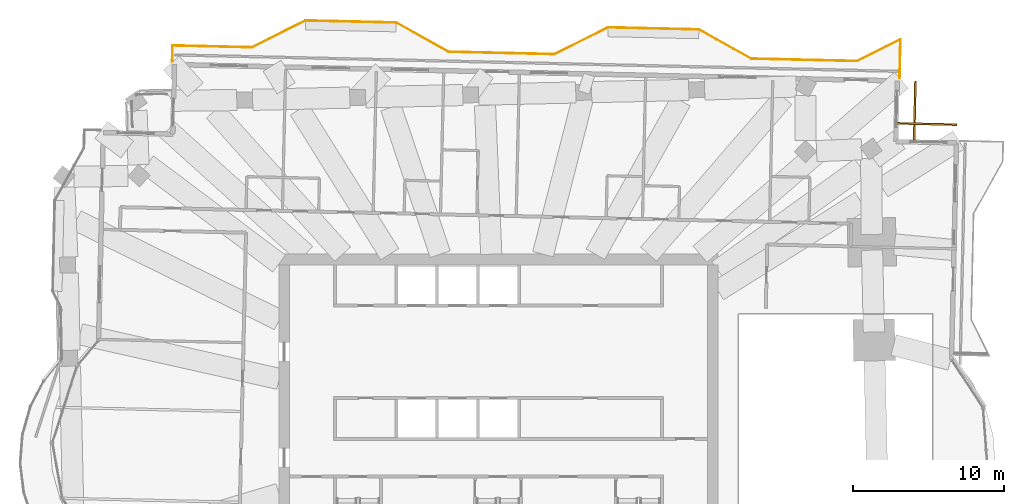
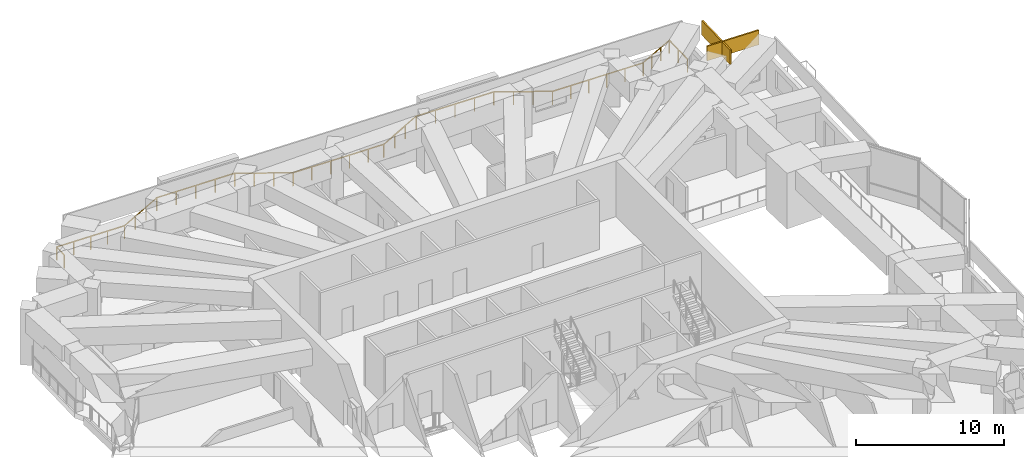
# One storey, part 20 of 20: 2 coverings, 1 railing.
"""IFC4 building model written with IfcOpenShell, lengths in metres."""

from ifc_helpers import new_model, si_unit, direction, frame, frame_2d, origin, origin_2d, place, context, subcontext, project, spatial, rectangle, extrude, material, layer, layer_set, type_object, element, save


model = new_model("IFC4")

# Units and contexts
model_context = context("Model", 3, precision=1e-05, world=origin(), true_north=direction((0.0, 1.0)))
body_context = subcontext(model_context, "Body", "Model", "MODEL_VIEW")
ifc_project = project(units=[si_unit("LENGTHUNIT", "METRE"), si_unit("AREAUNIT", "SQUARE_METRE"), si_unit("VOLUMEUNIT", "CUBIC_METRE"), si_unit("PLANEANGLEUNIT", "RADIAN"), si_unit("MASSUNIT", "GRAM", prefix="KILO")], contexts=[model_context])

# Site, building, storey
site_placement = place(None, origin())
site = spatial("IfcSite", under=ifc_project, at=site_placement, CompositionType="ELEMENT")
building_placement = place(site_placement, origin())
building = spatial("IfcBuilding", under=site, at=building_placement, Name="Mangrove Gate Tower", CompositionType="ELEMENT")
storey_placement = place(building_placement, frame((0.0, 0.0, 252.699951171875)))
storey = spatial("IfcBuildingStorey", under=building, at=storey_placement, Name="L64", CompositionType="ELEMENT", Elevation=252.699951171875)

# Railing
ifc_material_1 = material(Name="Stainless steel grade 316 with laminated glass infill", Category="steel")
railing_type = type_object("IfcRailingType", Name="Balcony guard 1100", PredefinedType="GUARDRAIL", material=ifc_material_1)
railing_placement = place(storey_placement, frame((26.5048828125, 23.131103515625, 0.0)))
element("IfcRailing", 1, at=railing_placement, inside=storey, type_object=railing_type, Name="GUARD L64 N1", PredefinedType="GUARDRAIL", context=body_context, shape_type="SweptSolid", body=[
    extrude(rectangle(XDim=0.048095703125, YDim=0.048095703125, at=origin_2d()), frame((0.0, 0.0, 1.076171875), z_axis=(0.022701904617, 0.999742278553, 0.0), x_axis=(-0.999742278553, 0.022701904617, 0.0)), (0.0, 0.0, 1.0), 2.5595703125),
    extrude(rectangle(XDim=0.048095703125, YDim=0.048095703125, at=origin_2d()), frame((0.05810546875, 2.558837890625, 1.076171875), z_axis=(-0.894411972924, -0.447244030357, 0.0), x_axis=(0.447244030357, -0.894411972924, 0.0)), (0.0, 0.0, 1.0), 3.208740234375),
    extrude(rectangle(XDim=0.048095703125, YDim=0.048095703125, at=origin_2d()), frame((-2.811767578125, 1.123779296875, 1.076171875), z_axis=(-0.999741403216, 0.022740419861, 0.0), x_axis=(-0.022740419861, -0.999741403216, 0.0)), (0.0, 0.0, 1.0), 6.999755859375),
    extrude(rectangle(XDim=0.048095703125, YDim=0.048095703125, at=origin_2d()), frame((-9.809814453125, 1.282958984375, 1.076171875), z_axis=(-0.87325689943, 0.48726008209, 0.0), x_axis=(-0.48726008209, -0.87325689943, 0.0)), (0.0, 0.0, 1.0), 3.958740234375),
    extrude(rectangle(XDim=0.048095703125, YDim=0.048095703125, at=origin_2d()), frame((-13.266845703125, 3.2119140625, 1.076171875), z_axis=(-0.999743094499, 0.022665943652, 0.0), x_axis=(-0.022665943652, -0.999743094499, 0.0)), (0.0, 0.0, 1.0), 5.99951171875),
    extrude(rectangle(XDim=0.048095703125, YDim=0.048095703125, at=origin_2d()), frame((-19.264892578125, 3.347900390625, 1.076171875), z_axis=(-0.894525821107, -0.447016280881, 0.0), x_axis=(0.447016280881, -0.894525821107, 0.0)), (0.0, 0.0, 1.0), 3.959716796875),
    extrude(rectangle(XDim=0.048095703125, YDim=0.048095703125, at=origin_2d()), frame((-22.806884765625, 1.577880859375, 1.076171875), z_axis=(-0.999744665362, 0.022596550164, 0.0), x_axis=(-0.022596550164, -0.999744665362, 0.0)), (0.0, 0.0, 1.0), 1.19921875),
    extrude(rectangle(XDim=0.048095703125, YDim=0.048095703125, at=origin_2d()), frame((-24.005859375, 1.60498046875, 1.076171875), z_axis=(-0.99974168342, 0.022728097884, 0.0), x_axis=(-0.022728097884, -0.99974168342, 0.0)), (0.0, 0.0, 1.0), 5.800537109375),
    extrude(rectangle(XDim=0.048095703125, YDim=0.048095703125, at=origin_2d()), frame((-29.804931640625, 1.73681640625, 1.076171875), z_axis=(-0.873230657876, 0.487307108654, 0.0), x_axis=(-0.487307108654, -0.873230657876, 0.0)), (0.0, 0.0, 1.0), 3.958984375),
    extrude(rectangle(XDim=0.048095703125, YDim=0.048095703125, at=origin_2d()), frame((-33.261962890625, 3.666015625, 1.076171875), z_axis=(-0.999743073592, 0.022666865795, 0.0), x_axis=(-0.022666865795, -0.999743073592, 0.0)), (0.0, 0.0, 1.0), 5.999267578125),
    extrude(rectangle(XDim=0.048095703125, YDim=0.048095703125, at=origin_2d()), frame((-39.259765625, 3.802001953125, 1.076171875), z_axis=(-0.894476522376, -0.447114919141, 0.0), x_axis=(0.447114919141, -0.894476522376, 0.0)), (0.0, 0.0, 1.0), 3.958740234375),
    extrude(rectangle(XDim=0.048095703125, YDim=0.048095703125, at=origin_2d()), frame((-42.80078125, 2.031982421875, 1.076171875), z_axis=(-0.999742196466, 0.022705519269, 0.0), x_axis=(-0.022705519269, -0.999742196466, 0.0)), (0.0, 0.0, 1.0), 5.236572265625),
    extrude(rectangle(XDim=0.048095703125, YDim=0.048095703125, at=origin_2d()), frame((-48.035888671875, 2.15087890625, 1.076171875), z_axis=(-0.022564497502, -0.999745389313, 0.0), x_axis=(0.999745389313, -0.022564497502, 0.0)), (0.0, 0.0, 1.0), 1.060302734375),
    extrude(rectangle(XDim=0.0419921875, YDim=0.0419921875, at=origin_2d()), origin(), (0.0, 0.0, 1.0), 1.052001953125),
    extrude(rectangle(XDim=0.0419921875, YDim=0.0419921875, at=origin_2d()), frame((0.029052734375, 1.279296875, 0.0)), (0.0, 0.0, 1.0), 1.052001953125),
    extrude(rectangle(XDim=0.0419921875, YDim=0.0419921875, at=origin_2d()), frame((0.05810546875, 2.558837890625, 0.0)), (0.0, 0.0, 1.0), 1.052001953125),
    extrude(rectangle(XDim=0.0419921875, YDim=0.0419921875, at=origin_2d()), frame((-0.8984375, 2.08056640625, 0.0)), (0.0, 0.0, 1.0), 1.052001953125),
    extrude(rectangle(XDim=0.0419921875, YDim=0.0419921875, at=origin_2d()), frame((-1.855224609375, 1.60205078125, 0.0)), (0.0, 0.0, 1.0), 1.052001953125),
    extrude(rectangle(XDim=0.0419921875, YDim=0.0419921875, at=origin_2d()), frame((-2.811767578125, 1.123779296875, 0.0)), (0.0, 0.0, 1.0), 1.052001953125),
    extrude(rectangle(XDim=0.0419921875, YDim=0.0419921875, at=origin_2d()), frame((-4.21142578125, 1.155517578125, 0.0)), (0.0, 0.0, 1.0), 1.052001953125),
    extrude(rectangle(XDim=0.0419921875, YDim=0.0419921875, at=origin_2d()), frame((-5.611083984375, 1.1875, 0.0)), (0.0, 0.0, 1.0), 1.052001953125),
    extrude(rectangle(XDim=0.0419921875, YDim=0.0419921875, at=origin_2d()), frame((-7.010498046875, 1.21923828125, 0.0)), (0.0, 0.0, 1.0), 1.052001953125),
    extrude(rectangle(XDim=0.0419921875, YDim=0.0419921875, at=origin_2d()), frame((-8.41015625, 1.251220703125, 0.0)), (0.0, 0.0, 1.0), 1.052001953125),
    extrude(rectangle(XDim=0.0419921875, YDim=0.0419921875, at=origin_2d()), frame((-9.809814453125, 1.282958984375, 0.0)), (0.0, 0.0, 1.0), 1.052001953125),
    extrude(rectangle(XDim=0.0419921875, YDim=0.0419921875, at=origin_2d()), frame((-10.962158203125, 1.926025390625, 0.0)), (0.0, 0.0, 1.0), 1.052001953125),
    extrude(rectangle(XDim=0.0419921875, YDim=0.0419921875, at=origin_2d()), frame((-12.114501953125, 2.56884765625, 0.0)), (0.0, 0.0, 1.0), 1.052001953125),
    extrude(rectangle(XDim=0.0419921875, YDim=0.0419921875, at=origin_2d()), frame((-13.266845703125, 3.2119140625, 0.0)), (0.0, 0.0, 1.0), 1.052001953125),
    extrude(rectangle(XDim=0.0419921875, YDim=0.0419921875, at=origin_2d()), frame((-14.766357421875, 3.245849609375, 0.0)), (0.0, 0.0, 1.0), 1.052001953125),
    extrude(rectangle(XDim=0.0419921875, YDim=0.0419921875, at=origin_2d()), frame((-16.265869140625, 3.27978515625, 0.0)), (0.0, 0.0, 1.0), 1.052001953125),
    extrude(rectangle(XDim=0.0419921875, YDim=0.0419921875, at=origin_2d()), frame((-17.765380859375, 3.31396484375, 0.0)), (0.0, 0.0, 1.0), 1.052001953125),
    extrude(rectangle(XDim=0.0419921875, YDim=0.0419921875, at=origin_2d()), frame((-19.264892578125, 3.347900390625, 0.0)), (0.0, 0.0, 1.0), 1.052001953125),
    extrude(rectangle(XDim=0.0419921875, YDim=0.0419921875, at=origin_2d()), frame((-20.445556640625, 2.7578125, 0.0)), (0.0, 0.0, 1.0), 1.052001953125),
    extrude(rectangle(XDim=0.0419921875, YDim=0.0419921875, at=origin_2d()), frame((-21.626220703125, 2.16796875, 0.0)), (0.0, 0.0, 1.0), 1.052001953125),
    extrude(rectangle(XDim=0.0419921875, YDim=0.0419921875, at=origin_2d()), frame((-22.806884765625, 1.577880859375, 0.0)), (0.0, 0.0, 1.0), 1.052001953125),
    extrude(rectangle(XDim=0.0419921875, YDim=0.0419921875, at=origin_2d()), frame((-24.005859375, 1.60498046875, 0.0)), (0.0, 0.0, 1.0), 1.052001953125),
    extrude(rectangle(XDim=0.0419921875, YDim=0.0419921875, at=origin_2d()), frame((-25.45556640625, 1.637939453125, 0.0)), (0.0, 0.0, 1.0), 1.052001953125),
    extrude(rectangle(XDim=0.0419921875, YDim=0.0419921875, at=origin_2d()), frame((-26.9052734375, 1.6708984375, 0.0)), (0.0, 0.0, 1.0), 1.052001953125),
    extrude(rectangle(XDim=0.0419921875, YDim=0.0419921875, at=origin_2d()), frame((-28.355224609375, 1.703857421875, 0.0)), (0.0, 0.0, 1.0), 1.052001953125),
    extrude(rectangle(XDim=0.0419921875, YDim=0.0419921875, at=origin_2d()), frame((-29.804931640625, 1.73681640625, 0.0)), (0.0, 0.0, 1.0), 1.052001953125),
    extrude(rectangle(XDim=0.0419921875, YDim=0.0419921875, at=origin_2d()), frame((-30.957275390625, 2.3798828125, 0.0)), (0.0, 0.0, 1.0), 1.052001953125),
    extrude(rectangle(XDim=0.0419921875, YDim=0.0419921875, at=origin_2d()), frame((-32.109619140625, 3.02294921875, 0.0)), (0.0, 0.0, 1.0), 1.052001953125),
    extrude(rectangle(XDim=0.0419921875, YDim=0.0419921875, at=origin_2d()), frame((-33.261962890625, 3.666015625, 0.0)), (0.0, 0.0, 1.0), 1.052001953125),
    extrude(rectangle(XDim=0.0419921875, YDim=0.0419921875, at=origin_2d()), frame((-34.761474609375, 3.699951171875, 0.0)), (0.0, 0.0, 1.0), 1.052001953125),
    extrude(rectangle(XDim=0.0419921875, YDim=0.0419921875, at=origin_2d()), frame((-36.2607421875, 3.73388671875, 0.0)), (0.0, 0.0, 1.0), 1.052001953125),
    extrude(rectangle(XDim=0.0419921875, YDim=0.0419921875, at=origin_2d()), frame((-37.76025390625, 3.76806640625, 0.0)), (0.0, 0.0, 1.0), 1.052001953125),
    extrude(rectangle(XDim=0.0419921875, YDim=0.0419921875, at=origin_2d()), frame((-39.259765625, 3.802001953125, 0.0)), (0.0, 0.0, 1.0), 1.052001953125),
    extrude(rectangle(XDim=0.0419921875, YDim=0.0419921875, at=origin_2d()), frame((-40.440185546875, 3.2119140625, 0.0)), (0.0, 0.0, 1.0), 1.052001953125),
    extrude(rectangle(XDim=0.0419921875, YDim=0.0419921875, at=origin_2d()), frame((-41.620361328125, 2.6220703125, 0.0)), (0.0, 0.0, 1.0), 1.052001953125),
    extrude(rectangle(XDim=0.0419921875, YDim=0.0419921875, at=origin_2d()), frame((-42.80078125, 2.031982421875, 0.0)), (0.0, 0.0, 1.0), 1.052001953125),
    extrude(rectangle(XDim=0.0419921875, YDim=0.0419921875, at=origin_2d()), frame((-44.109619140625, 2.061767578125, 0.0)), (0.0, 0.0, 1.0), 1.052001953125),
    extrude(rectangle(XDim=0.0419921875, YDim=0.0419921875, at=origin_2d()), frame((-45.41845703125, 2.09130859375, 0.0)), (0.0, 0.0, 1.0), 1.052001953125),
    extrude(rectangle(XDim=0.0419921875, YDim=0.0419921875, at=origin_2d()), frame((-46.72705078125, 2.12109375, 0.0)), (0.0, 0.0, 1.0), 1.052001953125),
    extrude(rectangle(XDim=0.0419921875, YDim=0.0419921875, at=origin_2d()), frame((-48.035888671875, 2.15087890625, 0.0)), (0.0, 0.0, 1.0), 1.052001953125),
    extrude(rectangle(XDim=0.0419921875, YDim=0.0419921875, at=origin_2d()), frame((-48.059814453125, 1.0908203125, 0.0)), (0.0, 0.0, 1.0), 1.052001953125),
])

# Coverings
ifc_material_2 = material(Name="Limestone", Category="masonry")
ifc_layer_1 = layer(ifc_material_2, 0.0400390625, Name="Limestone cladding")
ifc_material_3 = material(Name="Stainless steel anchors and cavity", Category="steel")
ifc_layer_2 = layer(ifc_material_3, 0.080078125, Name="Fixing cavity")
ifc_layer_set = layer_set([ifc_layer_1, ifc_layer_2], Name="Joint fascia cladding 120")
covering_type = type_object("IfcCoveringType", Name="Joint fascia cladding 120", PredefinedType="CLADDING", material=ifc_layer_set)
covering_1_placement = place(storey_placement, frame((30.285888671875, 20.054931640625, 2.85009765625), z_axis=(0.0, 0.0, 1.0), x_axis=(-0.999740794615, 0.022767160168, 0.0)))
element("IfcCovering", 2, at=covering_1_placement, inside=storey, type_object=covering_type, Name="STONE FASCIA L64 N3.1", PredefinedType="CLADDING", context=body_context, shape_type="SweptSolid", body=[
    extrude(rectangle(XDim=3.999755859375, YDim=0.1201171875, at=frame_2d((2.0, 0.0))), origin(), (0.0, 0.0, 1.0), 1.199951171875),
])
covering_2_placement = place(storey_placement, frame((27.458984375, 18.9189453125, 2.85009765625), z_axis=(0.0, 0.0, 1.0), x_axis=(0.022765770952, 0.999740826251, 0.0)))
element("IfcCovering", 3, at=covering_2_placement, inside=storey, type_object=covering_type, Name="STONE FASCIA L64 E4.1", PredefinedType="CLADDING", context=body_context, shape_type="SweptSolid", body=[
    extrude(rectangle(XDim=4.0, YDim=0.1201171875, at=frame_2d((2.0, 0.0))), origin(), (0.0, 0.0, 1.0), 1.199951171875),
])

save(model, "model.ifc")
